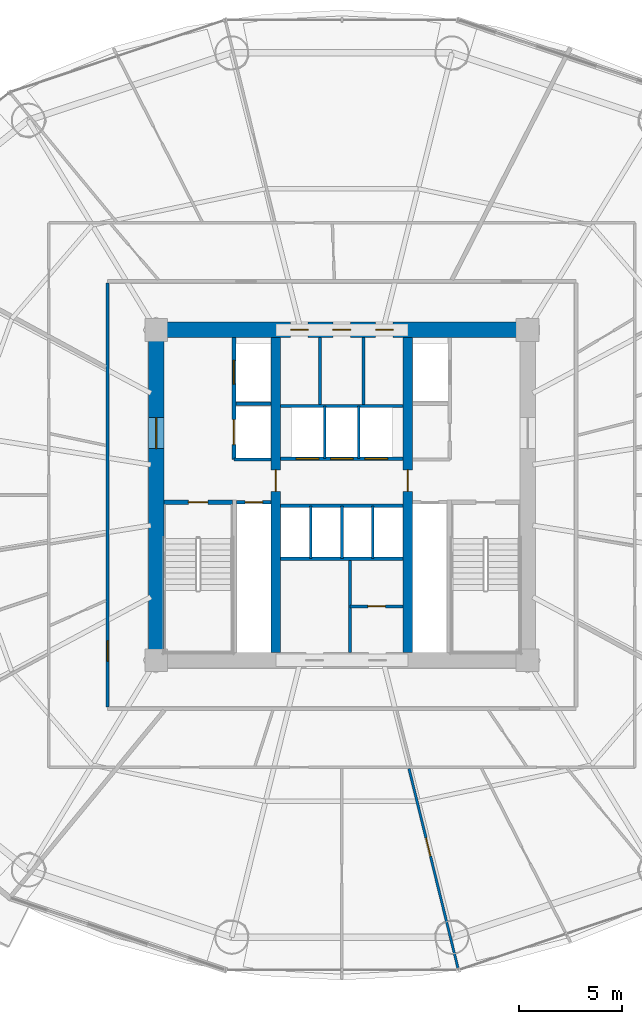
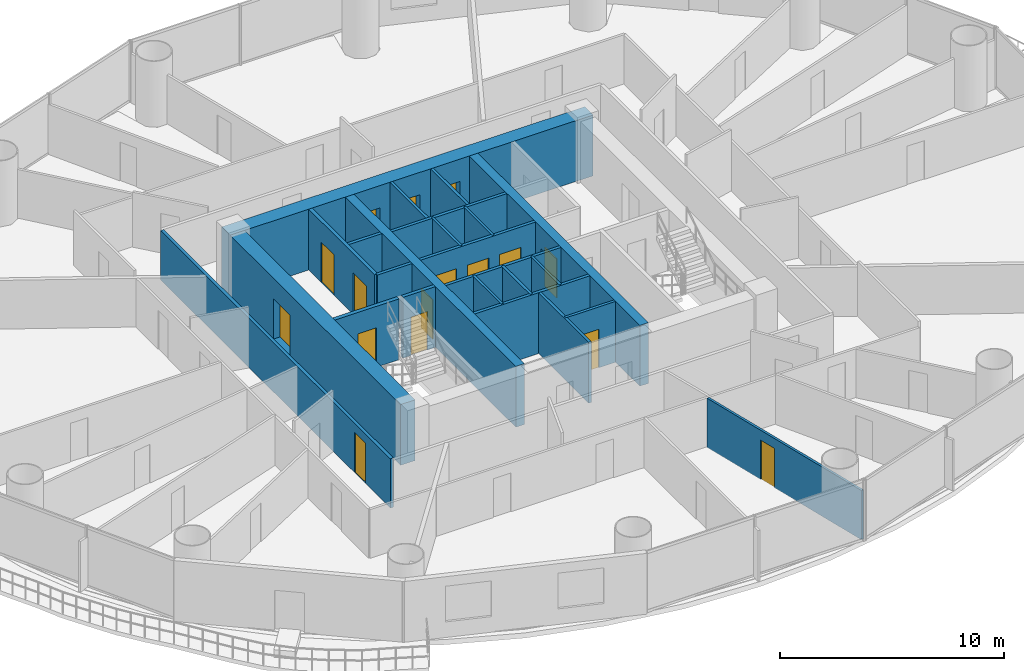
# One storey, part 23 of 29: 24 walls, 16 doors, 16 openings.
"""IFC4 building model written with IfcOpenShell, lengths in metres."""

from ifc_helpers import new_model, si_unit, direction, frame, frame_2d, origin, place, context, subcontext, project, spatial, rectangle, extrude, source, transform, mapped, material, layer, layer_set, type_object, element, fill, save


model = new_model("IFC4")

# Units and contexts
model_context = context("Model", 3, precision=1e-05, world=origin(), true_north=direction((-0.2419218956, 0.970295726276)))
body_context = subcontext(model_context, "Body", "Model", "MODEL_VIEW")
ifc_project = project(units=[si_unit("LENGTHUNIT", "METRE"), si_unit("AREAUNIT", "SQUARE_METRE"), si_unit("VOLUMEUNIT", "CUBIC_METRE"), si_unit("PLANEANGLEUNIT", "RADIAN"), si_unit("MASSUNIT", "GRAM", prefix="KILO")], contexts=[model_context])

# Site, building, storey
site_placement = place(None, origin())
site = spatial("IfcSite", under=ifc_project, at=site_placement, CompositionType="ELEMENT")
building_placement = place(site_placement, origin())
building = spatial("IfcBuilding", under=site, at=building_placement, Name="Cobrevalo Terracotta Tower", CompositionType="ELEMENT")
storey_placement = place(building_placement, frame((0.0, 0.0, 49.199951171875)))
storey = spatial("IfcBuildingStorey", under=building, at=storey_placement, Name="L12", CompositionType="ELEMENT", Elevation=49.199951171875)

# Wall, openings, doors
ifc_material_1 = material(Name="Concrete C60", Category="concrete")
ifc_layer_1 = layer(ifc_material_1, 0.75)
ifc_layer_set_1 = layer_set([ifc_layer_1], Name="Concrete C60")
wall_type_1 = type_object("IfcWallType", Name="Core shear wall 750 mm Concrete C60", PredefinedType="SHEAR", material=ifc_layer_set_1)
wall_1_placement = place(storey_placement, frame((28.625, 34.800048828125, 0.0), z_axis=(0.0, 0.0, 1.0), x_axis=(1.0, 0.0, 0.0)))
wall_1 = element("IfcWall", 1, at=wall_1_placement, inside=storey, type_object=wall_type_1, Name="L12 north core shear wall", PredefinedType="SHEAR", context=body_context, shape_type="SweptSolid", body=[
    extrude(rectangle(XDim=18.75, YDim=0.75, at=frame_2d((9.375, 0.0))), origin(), (0.0, 0.0, 1.0), 3.320068359375),
])
opening_1_placement = place(wall_1_placement, frame((6.887451171875, 0.0, 0.0)))
opening_1 = element("IfcOpeningElement", 2, at=opening_1_placement, cuts=wall_1, Name="Opening ID-22", PredefinedType="OPENING", context=body_context, shape_type="SweptSolid", body=[
    extrude(rectangle(XDim=0.85009765625, YDim=2.10009765625, at=frame_2d((0.425048828125, 1.050048828125))), frame((0.0, 0.385009765625, 0.0), z_axis=(0.0, -1.0, 0.0), x_axis=(1.0, 0.0, 0.0)), (0.0, 0.0, 1.0), 0.77001953125),
])
opening_2_placement = place(wall_1_placement, frame((8.945068359375, 0.0, 0.0)))
opening_2 = element("IfcOpeningElement", 3, at=opening_2_placement, cuts=wall_1, Name="Opening ID-07", PredefinedType="OPENING", context=body_context, shape_type="SweptSolid", body=[
    extrude(rectangle(XDim=0.860107421875, YDim=2.10009765625, at=frame_2d((0.43017578125, 1.050048828125))), frame((0.0, 0.385009765625, 0.0), z_axis=(0.0, -1.0, 0.0), x_axis=(1.0, 0.0, 0.0)), (0.0, 0.0, 1.0), 0.77001953125),
])
opening_3_placement = place(wall_1_placement, frame((11.012451171875, 0.0, 0.0)))
opening_3 = element("IfcOpeningElement", 4, at=opening_3_placement, cuts=wall_1, Name="Opening ID-22", PredefinedType="OPENING", context=body_context, shape_type="SweptSolid", body=[
    extrude(rectangle(XDim=0.85009765625, YDim=2.10009765625, at=frame_2d((0.425048828125, 1.050048828125))), frame((0.0, 0.385009765625, 0.0), z_axis=(0.0, -1.0, 0.0), x_axis=(1.0, 0.0, 0.0)), (0.0, 0.0, 1.0), 0.77001953125),
])
ifc_material_2 = material(Name="Powder-coated steel", Category="steel")
door_type_1 = type_object("IfcDoorType", Name="Riser shaft & meter closet fire access door 850x2100 EI 60", OperationType="NOTDEFINED", PredefinedType="DOOR", material=ifc_material_2)
shared_shape_1 = source(origin(), body_context, "Body", "SweptSolid", [
    extrude(rectangle(XDim=0.85009765625, YDim=2.10009765625, at=frame_2d((0.425048828125, 1.050048828125))), frame((0.0, 0.02490234375, 0.0), z_axis=(0.0, -1.0, 0.0), x_axis=(1.0, 0.0, 0.0)), (0.0, 0.0, 1.0), 0.050048828125),
])
door_1_placement = place(opening_1_placement, frame((0.85009765625, 0.0, 0.0), z_axis=(0.0, 0.0, 1.0), x_axis=(-1.0, 0.0, 0.0)))
door_1 = element("IfcDoor", 5, at=door_1_placement, inside=storey, type_object=door_type_1, Name="L12 core north service door Housekeeping Linen Store", OperationType="SINGLE_SWING_LEFT", OverallHeight=2.10009765625, OverallWidth=0.85009765625, PredefinedType="DOOR", context=body_context, shape_type="MappedRepresentation", body=[
    mapped(shared_shape_1, transform((0.0, 0.0, 0.0), scale=1.0)),
])
fill(opening_1, door_1)
door_2_placement = place(opening_3_placement, frame((0.85009765625, 0.0, 0.0), z_axis=(0.0, 0.0, 1.0), x_axis=(-1.0, 0.0, 0.0)))
door_2 = element("IfcDoor", 6, at=door_2_placement, inside=storey, type_object=door_type_1, Name="L12 core north service door Floor BMS Mechanical Plant", OperationType="SINGLE_SWING_LEFT", OverallHeight=2.10009765625, OverallWidth=0.85009765625, PredefinedType="DOOR", context=body_context, shape_type="MappedRepresentation", body=[
    mapped(shared_shape_1, transform((0.0, 0.0, 0.0), scale=1.0)),
])
fill(opening_3, door_2)
ifc_material_3 = material(Name="Fire-rated moisture-sealed timber", Category="wood")
door_type_2 = type_object("IfcDoorType", Name="Core & podium fire-rated accessible WC door 860x2100 EI 60", OperationType="NOTDEFINED", PredefinedType="DOOR", material=ifc_material_3)
shared_shape_2 = source(origin(), body_context, "Body", "SweptSolid", [
    extrude(rectangle(XDim=0.860107421875, YDim=2.10009765625, at=frame_2d((0.43017578125, 1.050048828125))), frame((0.0, 0.02490234375, 0.0), z_axis=(0.0, -1.0, 0.0), x_axis=(1.0, 0.0, 0.0)), (0.0, 0.0, 1.0), 0.050048828125),
])
door_3_placement = place(opening_2_placement, frame((0.860107421875, 0.0, 0.0), z_axis=(0.0, 0.0, 1.0), x_axis=(-1.0, 0.0, 0.0)))
door_3 = element("IfcDoor", 7, at=door_3_placement, inside=storey, type_object=door_type_2, Name="L12 core north service door Floor Service Toilet WC", OperationType="SINGLE_SWING_RIGHT", OverallHeight=2.10009765625, OverallWidth=0.860107421875, PredefinedType="DOOR", context=body_context, shape_type="MappedRepresentation", body=[
    mapped(shared_shape_2, transform((0.0, 0.0, 0.0), scale=1.0)),
])
fill(opening_2, door_3)

# Wall, opening, door
wall_2_placement = place(storey_placement, frame((29.0, 19.175048828125, 0.0), z_axis=(0.0, 0.0, 1.0), x_axis=(0.0, 1.0, 0.0)))
wall_2 = element("IfcWall", 8, at=wall_2_placement, inside=storey, type_object=wall_type_1, Name="L12 west core shear wall", PredefinedType="SHEAR", context=body_context, shape_type="SweptSolid", body=[
    extrude(rectangle(XDim=15.25, YDim=0.75, at=frame_2d((7.625, 0.0))), origin(), (0.0, 0.0, 1.0), 3.320068359375),
])
opening_4_placement = place(wall_2_placement, frame((9.875, 0.0, 0.0)))
opening_4 = element("IfcOpeningElement", 9, at=opening_4_placement, cuts=wall_2, Name="Opening ID-14", PredefinedType="OPENING", context=body_context, shape_type="SweptSolid", body=[
    extrude(rectangle(XDim=1.5, YDim=2.199951171875, at=frame_2d((0.75, 1.10009765625))), frame((0.0, 0.385009765625, 0.0), z_axis=(0.0, -1.0, 0.0), x_axis=(1.0, 0.0, 0.0)), (0.0, 0.0, 1.0), 0.77001953125),
])
ifc_material_4 = material(Name="Galvanized fire-rated steel", Category="steel")
door_type_3 = type_object("IfcDoorType", Name="Core cross-lobby double fire door 1500x2200 EI 90", OperationType="NOTDEFINED", PredefinedType="DOOR", material=ifc_material_4)
shared_shape_3 = source(origin(), body_context, "Body", "SweptSolid", [
    extrude(rectangle(XDim=1.5, YDim=2.199951171875, at=frame_2d((0.75, 1.10009765625))), frame((0.0, 0.02490234375, 0.0), z_axis=(0.0, -1.0, 0.0), x_axis=(1.0, 0.0, 0.0)), (0.0, 0.0, 1.0), 0.050048828125),
])
door_4_placement = place(opening_4_placement, origin())
door_4 = element("IfcDoor", 10, at=door_4_placement, inside=storey, type_object=door_type_3, Name="L12 west firefighting lobby entrance door", OperationType="DOUBLE_DOOR_SINGLE_SWING", OverallHeight=2.199951171875, OverallWidth=1.5, PredefinedType="DOOR", context=body_context, shape_type="MappedRepresentation", body=[
    mapped(shared_shape_3, transform((0.0, 0.0, 0.0), scale=1.0)),
])
fill(opening_4, door_4)

# Walls
ifc_material_5 = material(Name="Gypsum board on steel stud", Category="steel")
ifc_layer_2 = layer(ifc_material_5, 0.159912109375)
ifc_layer_set_2 = layer_set([ifc_layer_2], Name="Gypsum board on steel stud")
wall_type_2 = type_object("IfcWallType", Name="Fire-rated corridor acoustic partition wall 160 mm", PredefinedType="PARTITIONING", material=ifc_layer_set_2)
wall_3_placement = place(storey_placement, frame((32.860107421875, 31.219970703125, 0.0), z_axis=(0.0, 0.0, 1.0), x_axis=(1.0, 0.0, 0.0)))
element("IfcWall", 11, at=wall_3_placement, inside=storey, type_object=wall_type_2, Name="L12 interior partition IW-L12-FF1-M", PredefinedType="PARTITIONING", context=body_context, shape_type="SweptSolid", body=[
    extrude(rectangle(XDim=1.71484375, YDim=0.159912109375, at=frame_2d((0.857421875, 0.0))), origin(), (0.0, 0.0, 1.0), 3.320068359375),
])
wall_4_placement = place(storey_placement, frame((32.77001953125, 28.52001953125, 0.0), z_axis=(0.0, 0.0, 1.0), x_axis=(1.0, 0.0, 0.0)))
element("IfcWall", 12, at=wall_4_placement, inside=storey, type_object=wall_type_2, Name="L12 interior partition IW-L12-FF1-S", PredefinedType="PARTITIONING", context=body_context, shape_type="SweptSolid", body=[
    extrude(rectangle(XDim=1.804931640625, YDim=0.159912109375, at=frame_2d((0.90234375, 0.0))), origin(), (0.0, 0.0, 1.0), 3.320068359375),
])

# Wall, openings, doors
wall_5_placement = place(storey_placement, frame((35.02490234375, 28.56005859375, 0.0), z_axis=(0.0, 0.0, 1.0), x_axis=(1.0, 0.0, 0.0)))
wall_5 = element("IfcWall", 13, at=wall_5_placement, inside=storey, type_object=wall_type_2, Name="L12 interior partition IW-L12-LB-S", PredefinedType="PARTITIONING", context=body_context, shape_type="SweptSolid", body=[
    extrude(rectangle(XDim=5.9501953125, YDim=0.159912109375, at=frame_2d((2.97509765625, 0.0))), origin(), (0.0, 0.0, 1.0), 3.320068359375),
])
opening_5_placement = place(wall_5_placement, frame((0.760009765625, 0.0, 0.0)))
opening_5 = element("IfcOpeningElement", 14, at=opening_5_placement, cuts=wall_5, Name="Opening LD-01", PredefinedType="OPENING", context=body_context, shape_type="SweptSolid", body=[
    extrude(rectangle(XDim=1.10009765625, YDim=2.199951171875, at=frame_2d((0.550048828125, 1.10009765625))), frame((0.0, 0.08984375, 0.0), z_axis=(0.0, -1.0, 0.0), x_axis=(1.0, 0.0, 0.0)), (0.0, 0.0, 1.0), 0.179931640625),
])
opening_6_placement = place(wall_5_placement, frame((2.425048828125, 0.0, 0.0)))
opening_6 = element("IfcOpeningElement", 15, at=opening_6_placement, cuts=wall_5, Name="Opening LD-01", PredefinedType="OPENING", context=body_context, shape_type="SweptSolid", body=[
    extrude(rectangle(XDim=1.10009765625, YDim=2.199951171875, at=frame_2d((0.550048828125, 1.10009765625))), frame((0.0, 0.08984375, 0.0), z_axis=(0.0, -1.0, 0.0), x_axis=(1.0, 0.0, 0.0)), (0.0, 0.0, 1.0), 0.179931640625),
])
opening_7_placement = place(wall_5_placement, frame((4.090087890625, 0.0, 0.0)))
opening_7 = element("IfcOpeningElement", 16, at=opening_7_placement, cuts=wall_5, Name="Opening LD-01", PredefinedType="OPENING", context=body_context, shape_type="SweptSolid", body=[
    extrude(rectangle(XDim=1.10009765625, YDim=2.199951171875, at=frame_2d((0.550048828125, 1.10009765625))), frame((0.0, 0.08984375, 0.0), z_axis=(0.0, -1.0, 0.0), x_axis=(1.0, 0.0, 0.0)), (0.0, 0.0, 1.0), 0.179931640625),
])
ifc_material_6 = material(Name="Brushed stainless steel", Category="steel")
door_type_4 = type_object("IfcDoorType", Name="Passenger lift landing bi-parting sliding door 1100x2200 EI 90", OperationType="DOUBLE_DOOR_SLIDING", PredefinedType="DOOR", material=ifc_material_6)
shared_shape_4 = source(origin(), body_context, "Body", "SweptSolid", [
    extrude(rectangle(XDim=1.10009765625, YDim=2.199951171875, at=frame_2d((0.550048828125, 1.10009765625))), frame((0.0, 0.02490234375, 0.0), z_axis=(0.0, -1.0, 0.0), x_axis=(1.0, 0.0, 0.0)), (0.0, 0.0, 1.0), 0.050048828125),
])
door_5_placement = place(opening_5_placement, origin())
door_5 = element("IfcDoor", 17, at=door_5_placement, inside=storey, type_object=door_type_4, Name="L12 lift landing door PL-L1", OperationType="DOUBLE_DOOR_SLIDING", OverallHeight=2.199951171875, OverallWidth=1.10009765625, PredefinedType="DOOR", context=body_context, shape_type="MappedRepresentation", body=[
    mapped(shared_shape_4, transform((0.0, 0.0, 0.0), scale=1.0)),
])
fill(opening_5, door_5)
door_6_placement = place(opening_6_placement, origin())
door_6 = element("IfcDoor", 18, at=door_6_placement, inside=storey, type_object=door_type_4, Name="L12 lift landing door PL-L2", OperationType="DOUBLE_DOOR_SLIDING", OverallHeight=2.199951171875, OverallWidth=1.10009765625, PredefinedType="DOOR", context=body_context, shape_type="MappedRepresentation", body=[
    mapped(shared_shape_4, transform((0.0, 0.0, 0.0), scale=1.0)),
])
fill(opening_6, door_6)
door_7_placement = place(opening_7_placement, origin())
door_7 = element("IfcDoor", 19, at=door_7_placement, inside=storey, type_object=door_type_4, Name="L12 lift landing door PL-L3", OperationType="DOUBLE_DOOR_SLIDING", OverallHeight=2.199951171875, OverallWidth=1.10009765625, PredefinedType="DOOR", context=body_context, shape_type="MappedRepresentation", body=[
    mapped(shared_shape_4, transform((0.0, 0.0, 0.0), scale=1.0)),
])
fill(opening_7, door_7)

# Walls
for number, where, z_axis, x_axis, name in (
    (20, (35.02490234375, 31.1201171875, 0.0), (0.0, 0.0, 1.0), (1.0, 0.0, 0.0), "L12 interior partition IW-L12-LB-N"),
    (21, (35.02490234375, 26.280029296875, 0.0), (0.0, 0.0, 1.0), (1.0, 0.0, 0.0), "L12 interior partition IW-L12-MB-N"),
    (22, (35.02490234375, 23.719970703125, 0.0), (0.0, 0.0, 1.0), (1.0, 0.0, 0.0), "L12 interior partition IW-L12-MB-S"),
):
    element("IfcWall", number, at=place(storey_placement, frame(where, z_axis=z_axis, x_axis=x_axis)), inside=storey, type_object=wall_type_2, Name=name, PredefinedType="PARTITIONING", context=body_context, shape_type="SweptSolid", body=[
        extrude(rectangle(XDim=5.9501953125, YDim=0.159912109375, at=frame_2d((2.97509765625, 0.0))), origin(), (0.0, 0.0, 1.0), 3.320068359375),
    ])

# Wall, opening, door
wall_6_placement = place(storey_placement, frame((26.64501953125, 16.52490234375, 0.0), z_axis=(0.0, 0.0, 1.0), x_axis=(0.0, 1.0, 0.0)))
wall_6 = element("IfcWall", 23, at=wall_6_placement, inside=storey, type_object=wall_type_2, Name="L12 interior partition IW-L12-COR-W", PredefinedType="PARTITIONING", context=body_context, shape_type="SweptSolid", body=[
    extrude(rectangle(XDim=20.550048828125, YDim=0.159912109375, at=frame_2d((10.27490234375, 0.0))), origin(), (0.0, 0.0, 1.0), 2.68798828125),
])
opening_8_placement = place(wall_6_placement, frame((2.224365234375, 0.0, 0.0)))
opening_8 = element("IfcOpeningElement", 24, at=opening_8_placement, cuts=wall_6, Name="Opening ID-05", PredefinedType="OPENING", context=body_context, shape_type="SweptSolid", body=[
    extrude(rectangle(XDim=0.97998046875, YDim=2.199951171875, at=frame_2d((0.489990234375, 1.10009765625))), frame((0.0, 0.08984375, 0.0), z_axis=(0.0, -1.0, 0.0), x_axis=(1.0, 0.0, 0.0)), (0.0, 0.0, 1.0), 0.179931640625),
])
ifc_material_7 = material(Name="Solid hardwood timber", Category="wood")
door_type_5 = type_object("IfcDoorType", Name="Residence entrance fire-rated acoustic timber door 980x2200 EI 60", OperationType="NOTDEFINED", PredefinedType="DOOR", material=ifc_material_7)
shared_shape_5 = source(origin(), body_context, "Body", "SweptSolid", [
    extrude(rectangle(XDim=0.97998046875, YDim=2.199951171875, at=frame_2d((0.489990234375, 1.10009765625))), frame((0.0, 0.02490234375, 0.0), z_axis=(0.0, -1.0, 0.0), x_axis=(1.0, 0.0, 0.0)), (0.0, 0.0, 1.0), 0.050048828125),
])
door_8_placement = place(opening_8_placement, origin())
door_8 = element("IfcDoor", 25, at=door_8_placement, inside=storey, type_object=door_type_5, Name="Flat L12C fire-rated apartment entrance door", OperationType="SINGLE_SWING_RIGHT", OverallHeight=2.199951171875, OverallWidth=0.97998046875, PredefinedType="DOOR", context=body_context, shape_type="MappedRepresentation", body=[
    mapped(shared_shape_5, transform((0.0, 0.0, 0.0), scale=1.0)),
])
fill(opening_8, door_8)

ifc_layer_3 = layer(ifc_material_5, 0.179931640625)
ifc_layer_set_3 = layer_set([ifc_layer_3], Name="Gypsum board on steel stud")
wall_type_3 = type_object("IfcWallType", Name="Fire-rated shaft & lobby acoustic partition wall 180 mm", PredefinedType="PARTITIONING", material=ifc_layer_set_3)
wall_7_placement = place(storey_placement, frame((32.89990234375, 26.449951171875, 0.0), z_axis=(0.0, 0.0, 1.0), x_axis=(1.0, 0.0, 0.0)))
wall_7 = element("IfcWall", 26, at=wall_7_placement, inside=storey, type_object=wall_type_3, Name="L12 interior partition IW-L12-RSW-N", PredefinedType="PARTITIONING", context=body_context, shape_type="SweptSolid", body=[
    extrude(rectangle(XDim=1.675048828125, YDim=0.179931640625, at=frame_2d((0.83740234375, 0.0))), origin(), (0.0, 0.0, 1.0), 3.320068359375),
])
opening_9_placement = place(wall_7_placement, frame((0.41259765625, 0.0, 0.0)))
opening_9 = element("IfcOpeningElement", 27, at=opening_9_placement, cuts=wall_7, Name="Opening ID-22", PredefinedType="OPENING", context=body_context, shape_type="SweptSolid", body=[
    extrude(rectangle(XDim=0.85009765625, YDim=2.10009765625, at=frame_2d((0.425048828125, 1.050048828125))), frame((0.0, 0.10009765625, 0.0), z_axis=(0.0, -1.0, 0.0), x_axis=(1.0, 0.0, 0.0)), (0.0, 0.0, 1.0), 0.199951171875),
])
door_9_placement = place(opening_9_placement, origin())
door_9 = element("IfcDoor", 28, at=door_9_placement, inside=storey, type_object=door_type_1, Name="L12 riser access door RSW", OperationType="SINGLE_SWING_LEFT", OverallHeight=2.10009765625, OverallWidth=0.85009765625, PredefinedType="DOOR", context=body_context, shape_type="MappedRepresentation", body=[
    mapped(shared_shape_1, transform((0.0, 0.0, 0.0), scale=1.0)),
])
fill(opening_9, door_9)

# Wall, openings, doors
wall_8_placement = place(storey_placement, frame((32.77001953125, 28.52001953125, 0.0), z_axis=(0.0, 0.0, 1.0), x_axis=(0.0, 1.0, 0.0)))
wall_8 = element("IfcWall", 29, at=wall_8_placement, inside=storey, type_object=wall_type_3, Name="L12 interior partition IW-L12-FF1-W", PredefinedType="PARTITIONING", context=body_context, shape_type="SweptSolid", body=[
    extrude(rectangle(XDim=5.905029296875, YDim=0.179931640625, at=frame_2d((2.95263671875, 0.0))), origin(), (0.0, 0.0, 1.0), 3.320068359375),
])
opening_10_placement = place(wall_8_placement, frame((3.655029296875, 0.0, 0.0)))
opening_10 = element("IfcOpeningElement", 30, at=opening_10_placement, cuts=wall_8, Name="Opening LD-02", PredefinedType="OPENING", context=body_context, shape_type="SweptSolid", body=[
    extrude(rectangle(XDim=1.14990234375, YDim=2.199951171875, at=frame_2d((0.574951171875, 1.10009765625))), frame((0.0, 0.10009765625, 0.0), z_axis=(0.0, -1.0, 0.0), x_axis=(1.0, 0.0, 0.0)), (0.0, 0.0, 1.0), 0.199951171875),
])
opening_11_placement = place(wall_8_placement, frame((0.72998046875, 0.0, 0.0)))
opening_11 = element("IfcOpeningElement", 31, at=opening_11_placement, cuts=wall_8, Name="Opening LD-03", PredefinedType="OPENING", context=body_context, shape_type="SweptSolid", body=[
    extrude(rectangle(XDim=1.199951171875, YDim=2.25, at=frame_2d((0.60009765625, 1.125))), frame((0.0, 0.10009765625, 0.0), z_axis=(0.0, -1.0, 0.0), x_axis=(1.0, 0.0, 0.0)), (0.0, 0.0, 1.0), 0.199951171875),
])
door_type_6 = type_object("IfcDoorType", Name="Firefighting lift landing bi-parting sliding door 1150x2200 EI 120", OperationType="DOUBLE_DOOR_SLIDING", PredefinedType="DOOR", material=ifc_material_6)
shared_shape_6 = source(origin(), body_context, "Body", "SweptSolid", [
    extrude(rectangle(XDim=1.14990234375, YDim=2.199951171875, at=frame_2d((0.574951171875, 1.10009765625))), frame((0.0, 0.02490234375, 0.0), z_axis=(0.0, -1.0, 0.0), x_axis=(1.0, 0.0, 0.0)), (0.0, 0.0, 1.0), 0.050048828125),
])
door_10_placement = place(opening_10_placement, origin())
door_10 = element("IfcDoor", 32, at=door_10_placement, inside=storey, type_object=door_type_6, Name="L12 lift landing door FF-1", OperationType="DOUBLE_DOOR_SLIDING", OverallHeight=2.199951171875, OverallWidth=1.14990234375, PredefinedType="DOOR", context=body_context, shape_type="MappedRepresentation", body=[
    mapped(shared_shape_6, transform((0.0, 0.0, 0.0), scale=1.0)),
])
fill(opening_10, door_10)
door_type_7 = type_object("IfcDoorType", Name="Service lift landing bi-parting sliding door 1200x2250 EI 120", OperationType="DOUBLE_DOOR_SLIDING", PredefinedType="DOOR", material=ifc_material_6)
shared_shape_7 = source(origin(), body_context, "Body", "SweptSolid", [
    extrude(rectangle(XDim=1.199951171875, YDim=2.25, at=frame_2d((0.60009765625, 1.125))), frame((0.0, 0.02490234375, 0.0), z_axis=(0.0, -1.0, 0.0), x_axis=(1.0, 0.0, 0.0)), (0.0, 0.0, 1.0), 0.050048828125),
])
door_11_placement = place(opening_11_placement, origin())
door_11 = element("IfcDoor", 33, at=door_11_placement, inside=storey, type_object=door_type_7, Name="L12 lift landing door SV-1", OperationType="DOUBLE_DOOR_SLIDING", OverallHeight=2.25, OverallWidth=1.199951171875, PredefinedType="DOOR", context=body_context, shape_type="MappedRepresentation", body=[
    mapped(shared_shape_7, transform((0.0, 0.0, 0.0), scale=1.0)),
])
fill(opening_11, door_11)

# Walls
ifc_material_8 = material(Name="Autoclaved aerated concrete block", Category="concrete")
ifc_layer_4 = layer(ifc_material_8, 0.1201171875)
ifc_layer_set_4 = layer_set([ifc_layer_4], Name="Autoclaved aerated concrete block")
wall_type_4 = type_object("IfcWallType", Name="Fire-rated wet-room & core service partition 120 mm", PredefinedType="PARTITIONING", material=ifc_layer_set_4)
for number, where, z_axis, x_axis, name in (
    (34, (37.169921875, 28.56005859375, 0.0), (0.0, 0.0, 1.0), (0.0, 1.0, 0.0), "L12 interior partition IW-L12-LB-D1"),
    (35, (38.830078125, 28.56005859375, 0.0), (0.0, 0.0, 1.0), (0.0, 1.0, 0.0), "L12 interior partition IW-L12-LB-D2"),
    (36, (36.5, 23.719970703125, 0.0), (0.0, 0.0, 1.0), (0.0, 1.0, 0.0), "L12 interior partition IW-L12-MB-D1"),
    (37, (39.5, 23.719970703125, 0.0), (0.0, 0.0, 1.0), (0.0, 1.0, 0.0), "L12 interior partition IW-L12-MB-D3"),
):
    element("IfcWall", number, at=place(storey_placement, frame(where, z_axis=z_axis, x_axis=x_axis)), inside=storey, type_object=wall_type_4, Name=name, PredefinedType="PARTITIONING", context=body_context, shape_type="SweptSolid", body=[
        extrude(rectangle(XDim=2.56005859375, YDim=0.1201171875, at=frame_2d((1.280029296875, 0.0))), origin(), (0.0, 0.0, 1.0), 3.320068359375),
    ])

# Wall, opening, door
ifc_material_9 = material(Name="Concrete C55", Category="concrete")
ifc_layer_5 = layer(ifc_material_9, 0.449951171875)
ifc_layer_set_5 = layer_set([ifc_layer_5], Name="Concrete C55")
wall_type_5 = type_object("IfcWallType", Name="Internal core shear web wall 450 mm Concrete C55", PredefinedType="SHEAR", material=ifc_layer_set_5)
wall_9_placement = place(storey_placement, frame((34.800048828125, 19.175048828125, 0.0), z_axis=(0.0, 0.0, 1.0), x_axis=(0.0, 1.0, 0.0)))
wall_9 = element("IfcWall", 38, at=wall_9_placement, inside=storey, type_object=wall_type_5, Name="L12 internal core shear wall WEB-W", PredefinedType="SHEAR", context=body_context, shape_type="SweptSolid", body=[
    extrude(rectangle(XDim=15.25, YDim=0.449951171875, at=frame_2d((7.625, 0.0))), origin(), (0.0, 0.0, 1.0), 3.320068359375),
])
opening_12_placement = place(wall_9_placement, frame((7.800048828125, 0.0, 0.0)))
opening_12 = element("IfcOpeningElement", 39, at=opening_12_placement, cuts=wall_9, Name="Opening ID-11", PredefinedType="OPENING", context=body_context, shape_type="SweptSolid", body=[
    extrude(rectangle(XDim=1.050048828125, YDim=2.14990234375, at=frame_2d((0.52490234375, 1.074951171875))), frame((0.0, 0.23486328125, 0.0), z_axis=(0.0, -1.0, 0.0), x_axis=(1.0, 0.0, 0.0)), (0.0, 0.0, 1.0), 0.469970703125),
])
door_type_8 = type_object("IfcDoorType", Name="Core concourse cross fire door 1050x2150 EI 90", OperationType="NOTDEFINED", PredefinedType="DOOR", material=ifc_material_4)
shared_shape_8 = source(origin(), body_context, "Body", "SweptSolid", [
    extrude(rectangle(XDim=1.050048828125, YDim=2.14990234375, at=frame_2d((0.52490234375, 1.074951171875))), frame((0.0, 0.02490234375, 0.0), z_axis=(0.0, -1.0, 0.0), x_axis=(1.0, 0.0, 0.0)), (0.0, 0.0, 1.0), 0.050048828125),
])
door_12_placement = place(opening_12_placement, origin())
door_12 = element("IfcDoor", 40, at=door_12_placement, inside=storey, type_object=door_type_8, Name="L12 west core concourse cross door", OperationType="SINGLE_SWING_LEFT", OverallHeight=2.14990234375, OverallWidth=1.050048828125, PredefinedType="DOOR", context=body_context, shape_type="MappedRepresentation", body=[
    mapped(shared_shape_8, transform((0.0, 0.0, 0.0), scale=1.0)),
])
fill(opening_12, door_12)

wall_10_placement = place(storey_placement, frame((41.199951171875, 19.175048828125, 0.0), z_axis=(0.0, 0.0, 1.0), x_axis=(0.0, 1.0, 0.0)))
wall_10 = element("IfcWall", 41, at=wall_10_placement, inside=storey, type_object=wall_type_5, Name="L12 internal core shear wall WEB-E", PredefinedType="SHEAR", context=body_context, shape_type="SweptSolid", body=[
    extrude(rectangle(XDim=15.25, YDim=0.449951171875, at=frame_2d((7.625, 0.0))), origin(), (0.0, 0.0, 1.0), 3.320068359375),
])
opening_13_placement = place(wall_10_placement, frame((7.800048828125, 0.0, 0.0)))
opening_13 = element("IfcOpeningElement", 42, at=opening_13_placement, cuts=wall_10, Name="Opening ID-11", PredefinedType="OPENING", context=body_context, shape_type="SweptSolid", body=[
    extrude(rectangle(XDim=1.050048828125, YDim=2.14990234375, at=frame_2d((0.52490234375, 1.074951171875))), frame((0.0, 0.23486328125, 0.0), z_axis=(0.0, -1.0, 0.0), x_axis=(1.0, 0.0, 0.0)), (0.0, 0.0, 1.0), 0.469970703125),
])
door_13_placement = place(opening_13_placement, frame((1.050048828125, 0.0, 0.0), z_axis=(0.0, 0.0, 1.0), x_axis=(-1.0, 0.0, 0.0)))
door_13 = element("IfcDoor", 43, at=door_13_placement, inside=storey, type_object=door_type_8, Name="L12 east core concourse cross door", OperationType="SINGLE_SWING_RIGHT", OverallHeight=2.14990234375, OverallWidth=1.050048828125, PredefinedType="DOOR", context=body_context, shape_type="MappedRepresentation", body=[
    mapped(shared_shape_8, transform((0.0, 0.0, 0.0), scale=1.0)),
])
fill(opening_13, door_13)

# Walls
ifc_layer_6 = layer(ifc_material_8, 0.139892578125)
ifc_layer_set_6 = layer_set([ifc_layer_6], Name="Autoclaved aerated concrete block")
wall_type_6 = type_object("IfcWallType", Name="Moisture-resistant wet-room & core service partition 140 mm", PredefinedType="PARTITIONING", material=ifc_layer_set_6)
for number, where, z_axis, x_axis, name in (
    (44, (36.949951171875, 31.199951171875, 0.0), (0.0, 0.0, 1.0), (0.0, 1.0, 0.0), "L12 interior partition IW-L12-KVN-A"),
    (45, (39.050048828125, 31.199951171875, 0.0), (0.0, 0.0, 1.0), (0.0, 1.0, 0.0), "L12 interior partition IW-L12-KVN-B"),
):
    element("IfcWall", number, at=place(storey_placement, frame(where, z_axis=z_axis, x_axis=x_axis)), inside=storey, type_object=wall_type_6, Name=name, PredefinedType="PARTITIONING", context=body_context, shape_type="SweptSolid", body=[
        extrude(rectangle(XDim=3.22509765625, YDim=0.139892578125, at=frame_2d((1.612548828125, 0.0))), origin(), (0.0, 0.0, 1.0), 3.320068359375),
    ])
wall_11_placement = place(storey_placement, frame((38.0, 23.719970703125, 0.0), z_axis=(0.0, 0.0, 1.0), x_axis=(0.0, 1.0, 0.0)))
element("IfcWall", 46, at=wall_11_placement, inside=storey, type_object=wall_type_6, Name="L12 interior partition IW-L12-MB-D2", PredefinedType="PARTITIONING", context=body_context, shape_type="SweptSolid", body=[
    extrude(rectangle(XDim=2.56005859375, YDim=0.139892578125, at=frame_2d((1.280029296875, 0.0))), origin(), (0.0, 0.0, 1.0), 3.320068359375),
])
wall_12_placement = place(storey_placement, frame((38.39990234375, 19.175048828125, 0.0), z_axis=(0.0, 0.0, 1.0), x_axis=(0.0, 1.0, 0.0)))
element("IfcWall", 47, at=wall_12_placement, inside=storey, type_object=wall_type_6, Name="L12 interior partition IW-L12-KVS-L1", PredefinedType="PARTITIONING", context=body_context, shape_type="SweptSolid", body=[
    extrude(rectangle(XDim=4.46484375, YDim=0.139892578125, at=frame_2d((2.232421875, 0.0))), origin(), (0.0, 0.0, 1.0), 3.320068359375),
])

# Wall, opening, door
wall_13_placement = place(storey_placement, frame((38.39990234375, 21.407470703125, 0.0), z_axis=(0.0, 0.0, 1.0), x_axis=(1.0, 0.0, 0.0)))
wall_13 = element("IfcWall", 48, at=wall_13_placement, inside=storey, type_object=wall_type_6, Name="L12 interior partition IW-L12-KVS-L2", PredefinedType="PARTITIONING", context=body_context, shape_type="SweptSolid", body=[
    extrude(rectangle(XDim=2.5751953125, YDim=0.139892578125, at=frame_2d((1.28759765625, 0.0))), origin(), (0.0, 0.0, 1.0), 3.320068359375),
])
opening_14_placement = place(wall_13_placement, frame((0.862548828125, 0.0, 0.0)))
opening_14 = element("IfcOpeningElement", 49, at=opening_14_placement, cuts=wall_13, Name="Opening ID-22", PredefinedType="OPENING", context=body_context, shape_type="SweptSolid", body=[
    extrude(rectangle(XDim=0.85009765625, YDim=2.10009765625, at=frame_2d((0.425048828125, 1.050048828125))), frame((0.0, 0.080078125, 0.0), z_axis=(0.0, -1.0, 0.0), x_axis=(1.0, 0.0, 0.0)), (0.0, 0.0, 1.0), 0.159912109375),
])
door_14_placement = place(opening_14_placement, origin())
door_14 = element("IfcDoor", 50, at=door_14_placement, inside=storey, type_object=door_type_1, Name="L12 core KVS-L2 inner door", OperationType="SINGLE_SWING_LEFT", OverallHeight=2.10009765625, OverallWidth=0.85009765625, PredefinedType="DOOR", context=body_context, shape_type="MappedRepresentation", body=[
    mapped(shared_shape_1, transform((0.0, 0.0, 0.0), scale=1.0)),
])
fill(opening_14, door_14)

ifc_layer_7 = layer(ifc_material_5, 0.1201171875)
ifc_layer_set_7 = layer_set([ifc_layer_7], Name="Gypsum board on steel stud")
wall_type_7 = type_object("IfcWallType", Name="Residential internal acoustic stud partition 120 mm", PredefinedType="PARTITIONING", material=ifc_layer_set_7)
wall_14_placement = place(storey_placement, frame((41.253662109375, 13.544677734375, 0.0), z_axis=(0.0, 0.0, 1.0), x_axis=(0.238391877067, -0.971169044476, 0.0)))
wall_14 = element("IfcWall", 51, at=wall_14_placement, inside=storey, type_object=wall_type_7, Name="L12 interior partition IW-L12-U4-ORAD2M1", PredefinedType="PARTITIONING", context=body_context, shape_type="SweptSolid", body=[
    extrude(rectangle(XDim=9.972900390625, YDim=0.1201171875, at=frame_2d((4.986328125, 0.0))), origin(), (0.0, 0.0, 1.0), 2.68798828125),
])
opening_15_placement = place(wall_14_placement, frame((3.4619140625, 0.0, 0.0)))
opening_15 = element("IfcOpeningElement", 52, at=opening_15_placement, cuts=wall_14, Name="Opening ID-12", PredefinedType="OPENING", context=body_context, shape_type="SweptSolid", body=[
    extrude(rectangle(XDim=0.89990234375, YDim=2.14990234375, at=frame_2d((0.449951171875, 1.074951171875))), frame((0.0, 0.070068359375, 0.0), z_axis=(0.0, -1.0, 0.0), x_axis=(1.0, 0.0, 0.0)), (0.0, 0.0, 1.0), 0.14013671875),
])
ifc_material_10 = material(Name="Engineered timber", Category="wood")
door_type_9 = type_object("IfcDoorType", Name="Internal residence & suite timber door 900x2150", OperationType="NOTDEFINED", PredefinedType="DOOR", material=ifc_material_10)
shared_shape_9 = source(origin(), body_context, "Body", "SweptSolid", [
    extrude(rectangle(XDim=0.89990234375, YDim=2.14990234375, at=frame_2d((0.449951171875, 1.074951171875))), frame((0.0, 0.02490234375, 0.0), z_axis=(0.0, -1.0, 0.0), x_axis=(1.0, 0.0, 0.0)), (0.0, 0.0, 1.0), 0.050048828125),
])
door_15_placement = place(opening_15_placement, frame((0.89990234375, 0.0, 0.0), z_axis=(0.0, 0.0, 1.0), x_axis=(-1.0, 0.0, 0.0)))
door_15 = element("IfcDoor", 53, at=door_15_placement, inside=storey, type_object=door_type_9, Name="Flat L12D Master Bedroom internal door", OperationType="SINGLE_SWING_RIGHT", OverallHeight=2.14990234375, OverallWidth=0.89990234375, PredefinedType="DOOR", context=body_context, shape_type="MappedRepresentation", body=[
    mapped(shared_shape_9, transform((0.0, 0.0, 0.0), scale=1.0)),
])
fill(opening_15, door_15)

ifc_material_11 = material(Name="Concrete C50", Category="concrete")
ifc_layer_8 = layer(ifc_material_11, 0.199951171875)
ifc_layer_set_8 = layer_set([ifc_layer_8], Name="Concrete C50")
wall_type_8 = type_object("IfcWallType", Name="Structural core & podium stair-shaft RC wall 200 mm Concrete C50", PredefinedType="SOLIDWALL", material=ifc_layer_set_8)
wall_15_placement = place(storey_placement, frame((29.375, 26.449951171875, 0.0), z_axis=(0.0, 0.0, 1.0), x_axis=(1.0, 0.0, 0.0)))
wall_15 = element("IfcWall", 54, at=wall_15_placement, inside=storey, type_object=wall_type_8, Name="L12 ST-1 north structural shaft wall", PredefinedType="SOLIDWALL", context=body_context, shape_type="SweptSolid", body=[
    extrude(rectangle(XDim=3.320068359375, YDim=0.199951171875, at=frame_2d((1.66015625, 0.0))), origin(), (0.0, 0.0, 1.0), 3.320068359375),
])
opening_16_placement = place(wall_15_placement, frame((1.18505859375, 0.0, 0.0)))
opening_16 = element("IfcOpeningElement", 55, at=opening_16_placement, cuts=wall_15, Name="Opening ID-04", PredefinedType="OPENING", context=body_context, shape_type="SweptSolid", body=[
    extrude(rectangle(XDim=0.949951171875, YDim=2.14990234375, at=frame_2d((0.47509765625, 1.074951171875))), frame((0.0, 0.10986328125, 0.0), z_axis=(0.0, -1.0, 0.0), x_axis=(1.0, 0.0, 0.0)), (0.0, 0.0, 1.0), 0.219970703125),
])
door_type_10 = type_object("IfcDoorType", Name="Stair & firefighting lobby fire door 950x2150 EI 90", OperationType="NOTDEFINED", PredefinedType="DOOR", material=ifc_material_4)
shared_shape_10 = source(origin(), body_context, "Body", "SweptSolid", [
    extrude(rectangle(XDim=0.949951171875, YDim=2.14990234375, at=frame_2d((0.47509765625, 1.074951171875))), frame((0.0, 0.02490234375, 0.0), z_axis=(0.0, -1.0, 0.0), x_axis=(1.0, 0.0, 0.0)), (0.0, 0.0, 1.0), 0.050048828125),
])
door_16_placement = place(opening_16_placement, origin())
door_16 = element("IfcDoor", 56, at=door_16_placement, inside=storey, type_object=door_type_10, Name="L12 protected stair ST1 fire door", OperationType="SINGLE_SWING_LEFT", OverallHeight=2.14990234375, OverallWidth=0.949951171875, PredefinedType="DOOR", context=body_context, shape_type="MappedRepresentation", body=[
    mapped(shared_shape_10, transform((0.0, 0.0, 0.0), scale=1.0)),
])
fill(opening_16, door_16)

save(model, "model.ifc")
